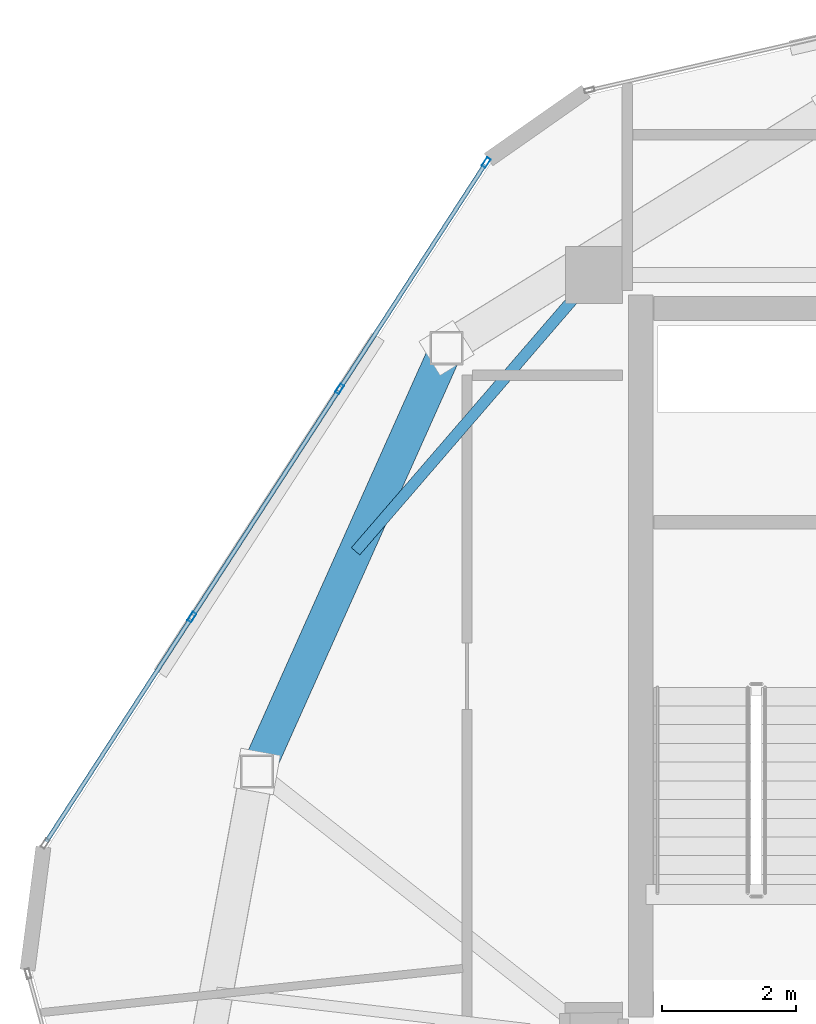
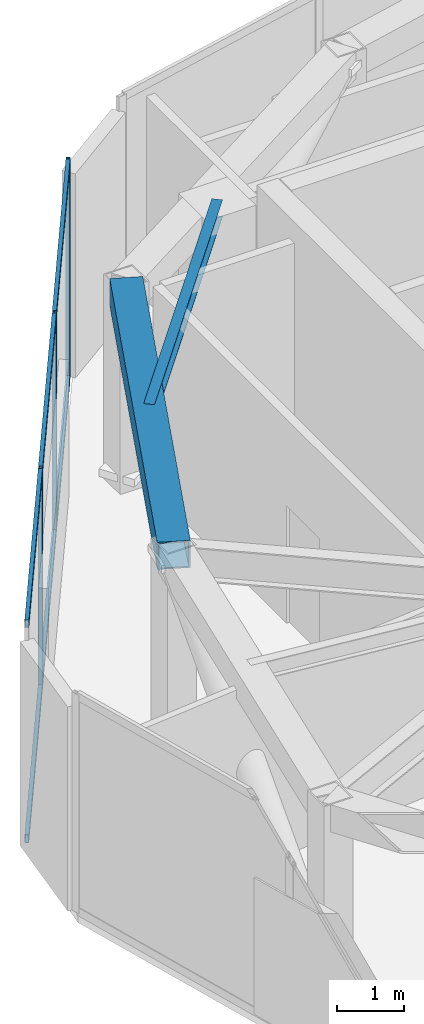
# One storey, part 9 of 21: 9 members, 2 beams, 1 element without a shape of its own.
"""IFC4 building model written with IfcOpenShell, lengths in metres."""

from ifc_helpers import new_model, si_unit, direction, frame, origin, origin_2d, place, context, subcontext, project, spatial, hollow_rectangle, i_section, extrude, source, transform, mapped, material, layer, layer_set, material_profile, profile_set, type_object, type_shapes, element, aggregate, save


model = new_model("IFC4")

# Units and contexts
model_context = context("Model", 3, precision=1e-05, world=origin(), true_north=direction((0.0, 1.0)))
body_context = subcontext(model_context, "Body", "Model", "MODEL_VIEW")
ifc_project = project(units=[si_unit("LENGTHUNIT", "METRE"), si_unit("AREAUNIT", "SQUARE_METRE"), si_unit("VOLUMEUNIT", "CUBIC_METRE"), si_unit("PLANEANGLEUNIT", "RADIAN"), si_unit("MASSUNIT", "GRAM", prefix="KILO")], contexts=[model_context])

# Site, building, storey
site_placement = place(None, origin())
site = spatial("IfcSite", under=ifc_project, at=site_placement, CompositionType="ELEMENT")
building_placement = place(site_placement, origin())
building = spatial("IfcBuilding", under=site, at=building_placement, Name="Talar Marvaseh", CompositionType="ELEMENT")
storey_placement = place(building_placement, frame((0.0, 0.0, 304.0)))
storey = spatial("IfcBuildingStorey", under=building, at=storey_placement, Name="L81", CompositionType="ELEMENT", Elevation=304.0)

# Beams
ifc_material_1 = material(Name="Steel S460", Category="steel")
ifc_material_profile_1 = material_profile(ifc_material_1, hollow_rectangle(XDim=0.5, YDim=0.5, WallThickness=0.02490234375, at=origin_2d()), Name="BOX500x500x25")
ifc_profile_set_1 = profile_set([ifc_material_profile_1], Name="Steel S460")
beam_type_1 = type_object("IfcBeamType", Name="Crown Frame Top Ring Beam BOX500x500x25", PredefinedType="BEAM", material=ifc_profile_set_1)
beam_1_placement = place(storey_placement, frame((13.657958984375, 29.469970703125, 3.489990234375), z_axis=(0.408486346803, 0.912764429892, 0.0), x_axis=(-0.912764429892, 0.408486346803, 0.0)))
element("IfcBeam", 1, at=beam_1_placement, inside=storey, type_object=beam_type_1, Name="L81 Crown Frame Top Ring Beam BOX500x500x25", PredefinedType="BEAM", context=body_context, shape_type="SweptSolid", body=[
    extrude(hollow_rectangle(XDim=0.5, YDim=0.5, WallThickness=0.02490234375, at=origin_2d()), origin(), (0.0, 0.0, 1.0), 6.942626953125),
])
ifc_material_2 = material(Name="Steel S355", Category="steel")
ifc_material_profile_2 = material_profile(ifc_material_2, i_section(OverallWidth=0.166015625, OverallDepth=0.31298828125, WebThickness=0.006591796875, FlangeThickness=0.01123046875, at=origin_2d()), Name="W310x45")
ifc_profile_set_2 = profile_set([ifc_material_profile_2], Name="Steel S355")
beam_type_2 = type_object("IfcBeamType", Name="Zone 3 Secondary Floor Joist W310x45", PredefinedType="JOIST", material=ifc_profile_set_2)
beam_2_placement = place(storey_placement, frame((15.1328125, 32.76513671875, 3.58349609375), z_axis=(0.653221697747, 0.757166701323, 0.0), x_axis=(-0.757166701323, 0.653221697747, 0.0)))
element("IfcBeam", 2, at=beam_2_placement, inside=storey, type_object=beam_type_2, Name="L81 Zone 3 Secondary Floor Joist W310x45", PredefinedType="JOIST", context=body_context, shape_type="SweptSolid", body=[
    extrude(i_section(OverallWidth=0.166015625, OverallDepth=0.31298828125, WebThickness=0.006591796875, FlangeThickness=0.01123046875, at=origin_2d()), origin(), (0.0, 0.0, 1.0), 5.4609375),
])

# Curtain wall, members
ifc_material_3 = material(Name="Architectural Aluminium", Category="aluminium")
ifc_layer = layer(ifc_material_3, 0.2099609375)
ifc_layer_set = layer_set([ifc_layer], Name="Architectural Aluminium")
curtain_wall_type = type_object("IfcCurtainWallType", Name="Crown Plant Acoustic Spandrel Curtain Wall", PredefinedType="NOTDEFINED", material=ifc_layer_set)
curtain_wall_placement = place(storey_placement, origin())
curtain_wall = element("IfcCurtainWall", 3, at=curtain_wall_placement, inside=storey, type_object=curtain_wall_type, Name="L81 Crown Plant Acoustic Spandrel Curtain Wall", PredefinedType="NOTDEFINED")
ifc_material_profile_3 = material_profile(ifc_material_3, hollow_rectangle(XDim=0.06494140625, YDim=0.14990234375, WallThickness=0.00390625, at=origin_2d()), Name="RHS150x65x4")
ifc_profile_set_3 = profile_set([ifc_material_profile_3], Name="Architectural Aluminium")
member_type_1 = type_object("IfcMemberType", Name="Unitised Curtain Wall Slim Transom RHS150x65x4", PredefinedType="USERDEFINED", material=ifc_profile_set_3)
shared_shape_1 = source(origin(), body_context, "Body", "SweptSolid", [
    extrude(hollow_rectangle(XDim=0.06494140625, YDim=0.14990234375, WallThickness=0.00390625, at=origin_2d()), origin(), (0.0, 0.0, 1.0), 3.97119140625),
])
member_1_placement = place(storey_placement, frame((10.505615234375, 28.420166015625, 0.032470703125), z_axis=(0.543656524713, 0.839307799998, 0.0), x_axis=(-0.839307799998, 0.543656524713, 0.0)))
member_1 = element("IfcMember", 4, at=member_1_placement, type_object=member_type_1, Name="CW-CRN transom 1.1", ObjectType="TRANSOM", PredefinedType="USERDEFINED", context=body_context, shape_type="MappedRepresentation", body=[
    mapped(shared_shape_1, transform((0.0, 0.0, 0.0), x_axis=(1.0, 0.0, 0.0), y_axis=(0.0, 1.0, 0.0), z_axis=(0.0, 0.0, 1.0), scale=1.0)),
])
member_2_placement = place(storey_placement, frame((10.505615234375, 28.420166015625, 3.967529296875), z_axis=(0.543656524713, 0.839307799998, 0.0), x_axis=(-0.839307799998, 0.543656524713, 0.0)))
member_2 = element("IfcMember", 5, at=member_2_placement, type_object=member_type_1, Name="CW-CRN transom 1.2", ObjectType="TRANSOM", PredefinedType="USERDEFINED", context=body_context, shape_type="MappedRepresentation", body=[
    mapped(shared_shape_1, transform((0.0, 0.0, 0.0), x_axis=(1.0, 0.0, 0.0), y_axis=(0.0, 1.0, 0.0), z_axis=(0.0, 0.0, 1.0), scale=1.0)),
])
member_3_placement = place(storey_placement, frame((14.911865234375, 35.22265625, 0.032470703125), z_axis=(0.543656524713, 0.839307799998, 0.0), x_axis=(-0.839307799998, 0.543656524713, 0.0)))
member_3 = element("IfcMember", 6, at=member_3_placement, type_object=member_type_1, Name="CW-CRN transom 3.1", ObjectType="TRANSOM", PredefinedType="USERDEFINED", context=body_context, shape_type="MappedRepresentation", body=[
    mapped(shared_shape_1, transform((0.0, 0.0, 0.0), x_axis=(1.0, 0.0, 0.0), y_axis=(0.0, 1.0, 0.0), z_axis=(0.0, 0.0, 1.0), scale=1.0)),
])
member_4_placement = place(storey_placement, frame((14.911865234375, 35.22265625, 3.967529296875), z_axis=(0.543656524713, 0.839307799998, 0.0), x_axis=(-0.839307799998, 0.543656524713, 0.0)))
member_4 = element("IfcMember", 7, at=member_4_placement, type_object=member_type_1, Name="CW-CRN transom 3.2", ObjectType="TRANSOM", PredefinedType="USERDEFINED", context=body_context, shape_type="MappedRepresentation", body=[
    mapped(shared_shape_1, transform((0.0, 0.0, 0.0), x_axis=(1.0, 0.0, 0.0), y_axis=(0.0, 1.0, 0.0), z_axis=(0.0, 0.0, 1.0), scale=1.0)),
])
shared_shape_2 = source(origin(), body_context, "Body", "SweptSolid", [
    extrude(hollow_rectangle(XDim=0.06494140625, YDim=0.14990234375, WallThickness=0.00390625, at=origin_2d()), origin(), (0.0, 0.0, 1.0), 4.003662109375),
])
type_shapes(member_type_1, [shared_shape_1, shared_shape_2])
member_5_placement = place(storey_placement, frame((12.699951171875, 31.807861328125, 0.032470703125), z_axis=(0.54363301369, 0.839323028652, 0.0), x_axis=(-0.839323028652, 0.54363301369, 0.0)))
member_5 = element("IfcMember", 8, at=member_5_placement, type_object=member_type_1, Name="CW-CRN transom 2.1", ObjectType="TRANSOM", PredefinedType="USERDEFINED", context=body_context, shape_type="MappedRepresentation", body=[
    mapped(shared_shape_2, transform((0.0, 0.0, 0.0), x_axis=(1.0, 0.0, 0.0), y_axis=(0.0, 1.0, 0.0), z_axis=(0.0, 0.0, 1.0), scale=1.0)),
])
member_6_placement = place(storey_placement, frame((12.699951171875, 31.807861328125, 3.967529296875), z_axis=(0.54363301369, 0.839323028652, 0.0), x_axis=(-0.839323028652, 0.54363301369, 0.0)))
member_6 = element("IfcMember", 9, at=member_6_placement, type_object=member_type_1, Name="CW-CRN transom 2.2", ObjectType="TRANSOM", PredefinedType="USERDEFINED", context=body_context, shape_type="MappedRepresentation", body=[
    mapped(shared_shape_2, transform((0.0, 0.0, 0.0), x_axis=(1.0, 0.0, 0.0), y_axis=(0.0, 1.0, 0.0), z_axis=(0.0, 0.0, 1.0), scale=1.0)),
])
ifc_material_profile_4 = material_profile(ifc_material_3, hollow_rectangle(XDim=0.06494140625, YDim=0.14990234375, WallThickness=0.00390625, at=origin_2d()), Name="RHS150x65x4")
ifc_profile_set_4 = profile_set([ifc_material_profile_4], Name="Architectural Aluminium")
member_type_2 = type_object("IfcMemberType", Name="Unitised Curtain Wall Slim Mullion RHS150x65x4", PredefinedType="MULLION", material=ifc_profile_set_4)
shared_shape_3 = source(origin(), body_context, "Body", "SweptSolid", [
    extrude(hollow_rectangle(XDim=0.06494140625, YDim=0.14990234375, WallThickness=0.00390625, at=origin_2d()), origin(), (0.0, 0.0, 1.0), 4.0),
])
type_shapes(member_type_2, [shared_shape_3])
member_7_placement = place(storey_placement, frame((12.682373046875, 31.780517578125, 0.0), z_axis=(0.0, 0.0, 1.0), x_axis=(-0.839314430427, 0.543646288387, 0.0)))
member_7 = element("IfcMember", 10, at=member_7_placement, type_object=member_type_2, Name="CW-CRN mullion 2", PredefinedType="MULLION", context=body_context, shape_type="MappedRepresentation", body=[
    mapped(shared_shape_3, transform((0.0, 0.0, 0.0), x_axis=(1.0, 0.0, 0.0), y_axis=(0.0, 1.0, 0.0), z_axis=(0.0, 0.0, 1.0), scale=1.0)),
])
member_8_placement = place(storey_placement, frame((14.894287109375, 35.1953125, 0.0), z_axis=(0.0, 0.0, 1.0), x_axis=(-0.839314430427, 0.543646288387, 0.0)))
member_8 = element("IfcMember", 11, at=member_8_placement, type_object=member_type_2, Name="CW-CRN mullion 3", PredefinedType="MULLION", context=body_context, shape_type="MappedRepresentation", body=[
    mapped(shared_shape_3, transform((0.0, 0.0, 0.0), x_axis=(1.0, 0.0, 0.0), y_axis=(0.0, 1.0, 0.0), z_axis=(0.0, 0.0, 1.0), scale=1.0)),
])
member_9_placement = place(storey_placement, frame((17.08837890625, 38.5830078125, 0.0), z_axis=(0.0, 0.0, 1.0), x_axis=(-0.839314430427, 0.543646288387, 0.0)))
member_9 = element("IfcMember", 12, at=member_9_placement, type_object=member_type_2, Name="CW-CRN mullion 4", PredefinedType="MULLION", context=body_context, shape_type="MappedRepresentation", body=[
    mapped(shared_shape_3, transform((0.0, 0.0, 0.0), x_axis=(1.0, 0.0, 0.0), y_axis=(0.0, 1.0, 0.0), z_axis=(0.0, 0.0, 1.0), scale=1.0)),
])
aggregate(curtain_wall, [member_7, member_8, member_9, member_1, member_2, member_5, member_6, member_3, member_4])

save(model, "model.ifc")
